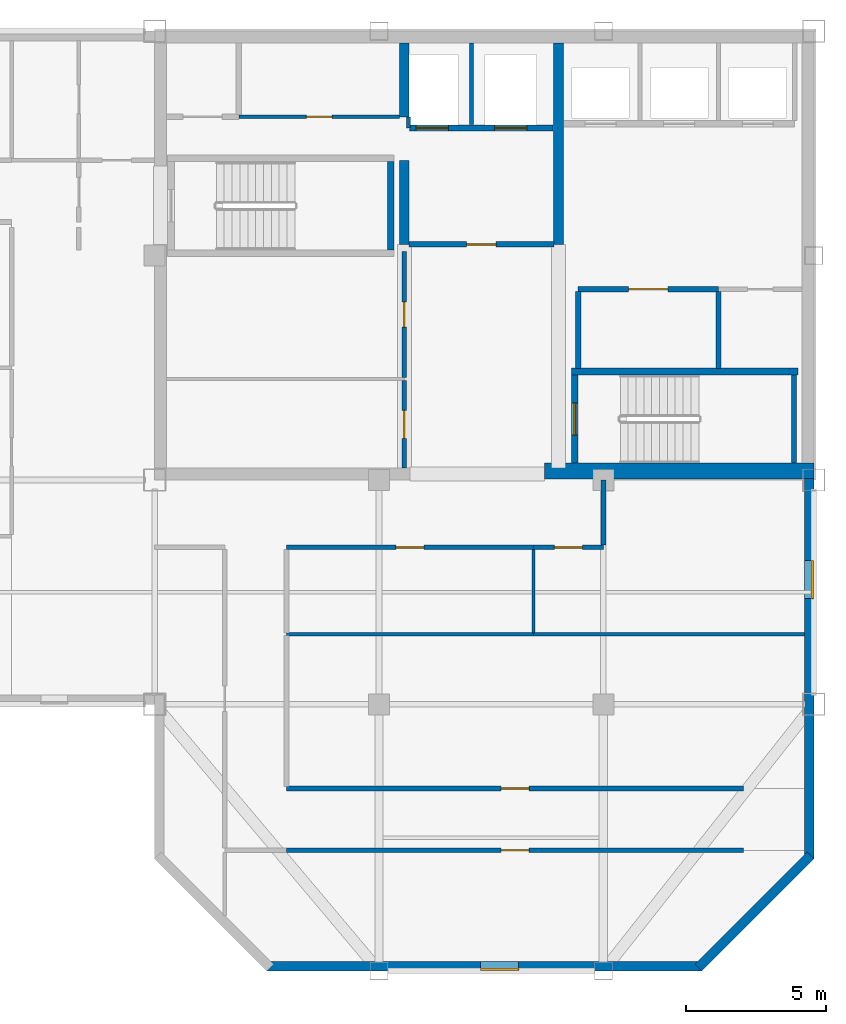
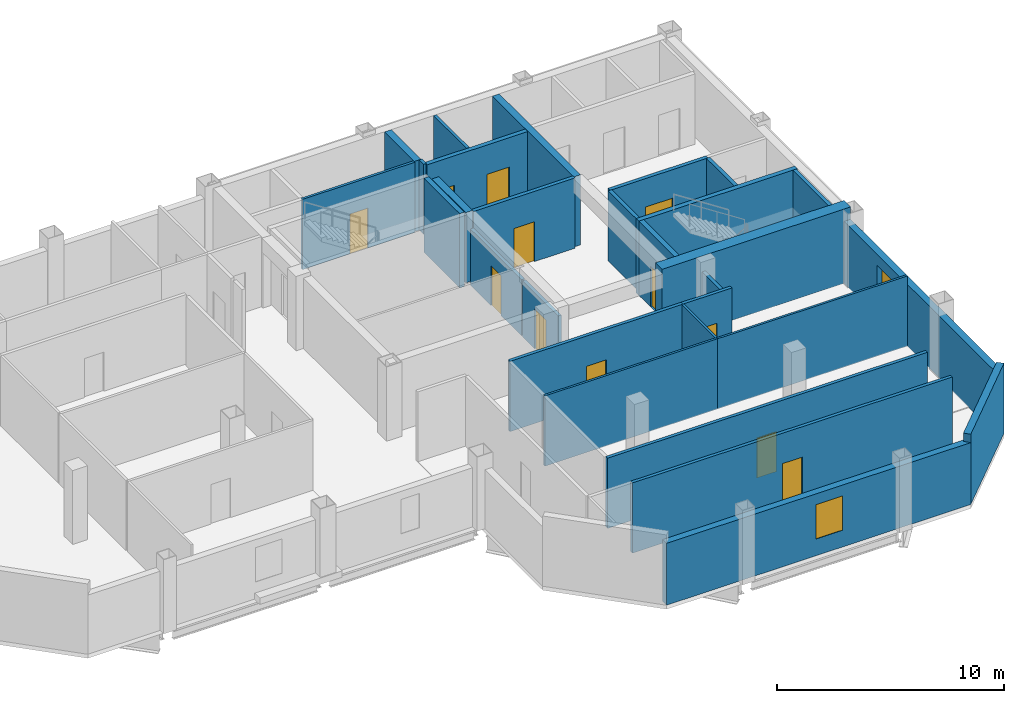
# One storey, part 3 of 7: 29 walls, 12 doors, 2 windows, 14 openings.
"""IFC4 building model written with IfcOpenShell, lengths in metres."""

from ifc_helpers import new_model, si_unit, direction, frame, frame_2d, origin, place, context, subcontext, project, spatial, rectangle, extrude, material, layer, layer_set, type_object, element, fill, save


model = new_model("IFC4")

# Units and contexts
model_context = context("Model", 3, precision=1e-05, world=origin(), true_north=direction((0.0, 1.0)))
body_context = subcontext(model_context, "Body", "Model", "MODEL_VIEW")
ifc_project = project(units=[si_unit("LENGTHUNIT", "METRE"), si_unit("AREAUNIT", "SQUARE_METRE"), si_unit("VOLUMEUNIT", "CUBIC_METRE"), si_unit("PLANEANGLEUNIT", "RADIAN"), si_unit("MASSUNIT", "GRAM", prefix="KILO")], contexts=[model_context])

# Site, building, storey
site_placement = place(None, origin())
site = spatial("IfcSite", under=ifc_project, at=site_placement, CompositionType="ELEMENT")
building_placement = place(site_placement, origin())
building = spatial("IfcBuilding", under=site, at=building_placement, Name="Qianrong Seaharbour Tower", CompositionType="ELEMENT")
storey_placement = place(building_placement, frame((0.0, 0.0, 343.199951171875)))
storey = spatial("IfcBuildingStorey", under=building, at=storey_placement, Name="L83", CompositionType="ELEMENT", Elevation=343.199951171875)

# Walls
ifc_material_1 = material(Name="Concrete C70/85", Category="concrete")
ifc_layer_1 = layer(ifc_material_1, 0.580078125)
ifc_layer_set_1 = layer_set([ifc_layer_1], Name="Concrete C70/85")
wall_type_1 = type_object("IfcWallType", Name="WALL-CORE-580", PredefinedType="SHEAR", material=ifc_layer_set_1)
wall_1_placement = place(storey_placement, frame((54.39990234375, 36.320068359375, 0.0), z_axis=(0.0, 0.0, 1.0), x_axis=(1.0, 0.0, 0.0)))
element("IfcWall", 1, at=wall_1_placement, inside=storey, type_object=wall_type_1, Name="L83 South Core Shear Wall S3", PredefinedType="SHEAR", context=body_context, shape_type="SweptSolid", body=[
    extrude(rectangle(XDim=9.60009765625, YDim=0.580078125, at=frame_2d((4.800048828125, 0.0))), origin(), (0.0, 0.0, 1.0), 4.0),
])
ifc_material_2 = material(Name="Concrete C50/60", Category="concrete")
ifc_layer_2 = layer(ifc_material_2, 0.35009765625)
ifc_layer_set_2 = layer_set([ifc_layer_2], Name="Concrete C50/60")
wall_type_2 = type_object("IfcWallType", Name="WALL-CORE-INT-350", PredefinedType="SHEAR", material=ifc_layer_set_2)
wall_2_placement = place(storey_placement, frame((49.39990234375, 44.39990234375, 0.0), z_axis=(0.0, 0.0, 1.0), x_axis=(0.0, 1.0, 0.0)))
element("IfcWall", 2, at=wall_2_placement, inside=storey, type_object=wall_type_2, Name="L83 Internal Core Shear Wall IW1N1", PredefinedType="SHEAR", context=body_context, shape_type="SweptSolid", body=[
    extrude(rectangle(XDim=3.0, YDim=0.35009765625, at=frame_2d((1.5, 0.0))), origin(), (0.0, 0.0, 1.0), 3.78515625),
])
wall_3_placement = place(storey_placement, frame((49.39990234375, 48.949951171875, 0.0), z_axis=(0.0, 0.0, 1.0), x_axis=(0.0, 1.0, 0.0)))
element("IfcWall", 3, at=wall_3_placement, inside=storey, type_object=wall_type_2, Name="L83 Internal Core Shear Wall IW1N2", PredefinedType="SHEAR", context=body_context, shape_type="SweptSolid", body=[
    extrude(rectangle(XDim=2.630126953125, YDim=0.35009765625, at=frame_2d((1.31494140625, 0.0))), origin(), (0.0, 0.0, 1.0), 3.78515625),
])
wall_4_placement = place(storey_placement, frame((54.89990234375, 44.39990234375, 0.0), z_axis=(0.0, 0.0, 1.0), x_axis=(0.0, 1.0, 0.0)))
element("IfcWall", 4, at=wall_4_placement, inside=storey, type_object=wall_type_2, Name="L83 Internal Core Shear Wall IW2N", PredefinedType="SHEAR", context=body_context, shape_type="SweptSolid", body=[
    extrude(rectangle(XDim=7.18017578125, YDim=0.35009765625, at=frame_2d((3.590087890625, 0.0))), origin(), (0.0, 0.0, 1.0), 3.78515625),
])

# Wall, opening, door
ifc_material_3 = material(Name="Fire-rated acoustic gypsum board partition")
ifc_layer_3 = layer(ifc_material_3, 0.1650390625)
ifc_layer_set_3 = layer_set([ifc_layer_3], Name="Fire-rated acoustic gypsum board partition")
wall_type_3 = type_object("IfcWallType", Name="WALL-CORR-PART-165", PredefinedType="PARTITIONING", material=ifc_layer_set_3)
wall_5_placement = place(storey_placement, frame((49.39990234375, 36.419921875, 0.0), z_axis=(0.0, 0.0, 1.0), x_axis=(0.0, 1.0, 0.0)))
wall_5 = element("IfcWall", 5, at=wall_5_placement, inside=storey, type_object=wall_type_3, Name="L83 Interior Partition Wall 010", PredefinedType="PARTITIONING", context=body_context, shape_type="SweptSolid", body=[
    extrude(rectangle(XDim=3.133056640625, YDim=0.1650390625, at=frame_2d((1.56640625, 0.0))), origin(), (0.0, 0.0, 1.0), 3.027099609375),
])
opening_1_placement = place(wall_5_placement, frame((1.06640625, 0.0, 0.0)))
opening_1 = element("IfcOpeningElement", 6, at=opening_1_placement, cuts=wall_5, Name="Opening DO-01", PredefinedType="OPENING", context=body_context, shape_type="SweptSolid", body=[
    extrude(rectangle(XDim=1.0, YDim=2.14990234375, at=frame_2d((0.5, 1.074951171875))), frame((0.0, 0.092529296875, 0.0), z_axis=(0.0, -1.0, 0.0), x_axis=(1.0, 0.0, 0.0)), (0.0, 0.0, 1.0), 0.18505859375),
])
ifc_material_4 = material(Name="Acoustic timber and galvanized steel fire door assembly", Category="steel")
door_type_1 = type_object("IfcDoorType", Name="DOOR-OFFICE-1000x2150", OperationType="NOTDEFINED", PredefinedType="DOOR", material=ifc_material_4)
door_1_placement = place(opening_1_placement, origin())
door_1 = element("IfcDoor", 7, at=door_1_placement, inside=storey, type_object=door_type_1, Name="L83 Wellness Room Door", OperationType="SINGLE_SWING_LEFT", OverallHeight=2.14990234375, OverallWidth=1.0, PredefinedType="DOOR", context=body_context, shape_type="SweptSolid", body=[
    extrude(rectangle(XDim=1.0, YDim=2.14990234375, at=frame_2d((0.5, 1.074951171875))), frame((0.0, 0.02490234375, 0.0), z_axis=(0.0, -1.0, 0.0), x_axis=(1.0, 0.0, 0.0)), (0.0, 0.0, 1.0), 0.050048828125),
])
fill(opening_1, door_1)

wall_6_placement = place(storey_placement, frame((49.39990234375, 39.64697265625, 0.0), z_axis=(0.0, 0.0, 1.0), x_axis=(0.0, 1.0, 0.0)))
wall_6 = element("IfcWall", 8, at=wall_6_placement, inside=storey, type_object=wall_type_3, Name="L83 Interior Partition Wall 011", PredefinedType="PARTITIONING", context=body_context, shape_type="SweptSolid", body=[
    extrude(rectangle(XDim=4.5029296875, YDim=0.1650390625, at=frame_2d((2.25146484375, 0.0))), origin(), (0.0, 0.0, 1.0), 3.027099609375),
])
opening_2_placement = place(wall_6_placement, frame((1.801513671875, 0.0, 0.0)))
opening_2 = element("IfcOpeningElement", 9, at=opening_2_placement, cuts=wall_6, Name="Opening DS-01", PredefinedType="OPENING", context=body_context, shape_type="SweptSolid", body=[
    extrude(rectangle(XDim=0.89990234375, YDim=2.14990234375, at=frame_2d((0.449951171875, 1.074951171875))), frame((0.0, 0.092529296875, 0.0), z_axis=(0.0, -1.0, 0.0), x_axis=(1.0, 0.0, 0.0)), (0.0, 0.0, 1.0), 0.18505859375),
])
door_type_2 = type_object("IfcDoorType", Name="DOOR-STORE-900x2150", OperationType="NOTDEFINED", PredefinedType="DOOR", material=ifc_material_4)
door_2_placement = place(opening_2_placement, origin())
door_2 = element("IfcDoor", 10, at=door_2_placement, inside=storey, type_object=door_type_2, Name="L83 Equipment Store Room Door", OperationType="SINGLE_SWING_RIGHT", OverallHeight=2.14990234375, OverallWidth=0.89990234375, PredefinedType="DOOR", context=body_context, shape_type="SweptSolid", body=[
    extrude(rectangle(XDim=0.89990234375, YDim=2.14990234375, at=frame_2d((0.449951171875, 1.074951171875))), frame((0.0, 0.02490234375, 0.0), z_axis=(0.0, -1.0, 0.0), x_axis=(1.0, 0.0, 0.0)), (0.0, 0.0, 1.0), 0.050048828125),
])
fill(opening_2, door_2)

wall_7_placement = place(storey_placement, frame((54.0, 33.60009765625, 0.0), z_axis=(0.0, 0.0, 1.0), x_axis=(-1.0, 0.0, 0.0)))
wall_7 = element("IfcWall", 11, at=wall_7_placement, inside=storey, type_object=wall_type_3, Name="L83 Interior Partition Wall 025", PredefinedType="PARTITIONING", context=body_context, shape_type="SweptSolid", body=[
    extrude(rectangle(XDim=8.800048828125, YDim=0.1650390625, at=frame_2d((4.39990234375, 0.0))), origin(), (0.0, 0.0, 1.0), 3.78515625),
])
opening_3_placement = place(wall_7_placement, frame((3.89990234375, 0.0, 0.0)))
opening_3 = element("IfcOpeningElement", 12, at=opening_3_placement, cuts=wall_7, Name="Opening DO-01", PredefinedType="OPENING", context=body_context, shape_type="SweptSolid", body=[
    extrude(rectangle(XDim=1.0, YDim=2.14990234375, at=frame_2d((0.5, 1.074951171875))), frame((0.0, 0.092529296875, 0.0), z_axis=(0.0, -1.0, 0.0), x_axis=(1.0, 0.0, 0.0)), (0.0, 0.0, 1.0), 0.18505859375),
])
door_3_placement = place(opening_3_placement, origin())
door_3 = element("IfcDoor", 13, at=door_3_placement, inside=storey, type_object=door_type_1, Name="L83 Wellness Room 1 Door", OperationType="SINGLE_SWING_LEFT", OverallHeight=2.14990234375, OverallWidth=1.0, PredefinedType="DOOR", context=body_context, shape_type="SweptSolid", body=[
    extrude(rectangle(XDim=1.0, YDim=2.14990234375, at=frame_2d((0.5, 1.074951171875))), frame((0.0, 0.02490234375, 0.0), z_axis=(0.0, -1.0, 0.0), x_axis=(1.0, 0.0, 0.0)), (0.0, 0.0, 1.0), 0.050048828125),
])
fill(opening_3, door_3)

# Wall
wall_8_placement = place(storey_placement, frame((56.5, 36.0, 0.0), z_axis=(0.0, 0.0, 1.0), x_axis=(0.0, -1.0, 0.0)))
element("IfcWall", 14, at=wall_8_placement, inside=storey, type_object=wall_type_3, Name="L83 Interior Partition Wall 026", PredefinedType="PARTITIONING", context=body_context, shape_type="SweptSolid", body=[
    extrude(rectangle(XDim=2.325439453125, YDim=0.1650390625, at=frame_2d((1.16259765625, 0.0))), origin(), (0.0, 0.0, 1.0), 3.177001953125),
])

# Wall, opening, door
wall_9_placement = place(storey_placement, frame((56.5, 33.60009765625, 0.0), z_axis=(0.0, 0.0, 1.0), x_axis=(-1.0, 0.0, 0.0)))
wall_9 = element("IfcWall", 15, at=wall_9_placement, inside=storey, type_object=wall_type_3, Name="L83 Interior Partition Wall 027", PredefinedType="PARTITIONING", context=body_context, shape_type="SweptSolid", body=[
    extrude(rectangle(XDim=2.5, YDim=0.1650390625, at=frame_2d((1.25, 0.0))), origin(), (0.0, 0.0, 1.0), 3.78515625),
])
opening_4_placement = place(wall_9_placement, frame((0.75, 0.0, 0.0)))
opening_4 = element("IfcOpeningElement", 16, at=opening_4_placement, cuts=wall_9, Name="Opening DO-01", PredefinedType="OPENING", context=body_context, shape_type="SweptSolid", body=[
    extrude(rectangle(XDim=1.0, YDim=2.14990234375, at=frame_2d((0.5, 1.074951171875))), frame((0.0, 0.092529296875, 0.0), z_axis=(0.0, -1.0, 0.0), x_axis=(1.0, 0.0, 0.0)), (0.0, 0.0, 1.0), 0.18505859375),
])
door_4_placement = place(opening_4_placement, origin())
door_4 = element("IfcDoor", 17, at=door_4_placement, inside=storey, type_object=door_type_1, Name="L83 Health Director Office 2 Door", OperationType="SINGLE_SWING_RIGHT", OverallHeight=2.14990234375, OverallWidth=1.0, PredefinedType="DOOR", context=body_context, shape_type="SweptSolid", body=[
    extrude(rectangle(XDim=1.0, YDim=2.14990234375, at=frame_2d((0.5, 1.074951171875))), frame((0.0, 0.02490234375, 0.0), z_axis=(0.0, -1.0, 0.0), x_axis=(1.0, 0.0, 0.0)), (0.0, 0.0, 1.0), 0.050048828125),
])
fill(opening_4, door_4)

wall_10_placement = place(storey_placement, frame((61.5, 22.800048828125, 0.0), z_axis=(0.0, 0.0, 1.0), x_axis=(-1.0, 0.0, 0.0)))
wall_10 = element("IfcWall", 18, at=wall_10_placement, inside=storey, type_object=wall_type_3, Name="L83 Interior Partition Wall 033", PredefinedType="PARTITIONING", context=body_context, shape_type="SweptSolid", body=[
    extrude(rectangle(XDim=16.300048828125, YDim=0.1650390625, at=frame_2d((8.14990234375, 0.0))), origin(), (0.0, 0.0, 1.0), 3.78515625),
])
opening_5_placement = place(wall_10_placement, frame((7.64990234375, 0.0, 0.0)))
opening_5 = element("IfcOpeningElement", 19, at=opening_5_placement, cuts=wall_10, Name="Opening DO-01", PredefinedType="OPENING", context=body_context, shape_type="SweptSolid", body=[
    extrude(rectangle(XDim=1.0, YDim=2.14990234375, at=frame_2d((0.5, 1.074951171875))), frame((0.0, 0.092529296875, 0.0), z_axis=(0.0, -1.0, 0.0), x_axis=(1.0, 0.0, 0.0)), (0.0, 0.0, 1.0), 0.18505859375),
])
door_5_placement = place(opening_5_placement, origin())
door_5 = element("IfcDoor", 20, at=door_5_placement, inside=storey, type_object=door_type_1, Name="L83 South Tip Open-Plan Office Door", OperationType="SINGLE_SWING_LEFT", OverallHeight=2.14990234375, OverallWidth=1.0, PredefinedType="DOOR", context=body_context, shape_type="SweptSolid", body=[
    extrude(rectangle(XDim=1.0, YDim=2.14990234375, at=frame_2d((0.5, 1.074951171875))), frame((0.0, 0.02490234375, 0.0), z_axis=(0.0, -1.0, 0.0), x_axis=(1.0, 0.0, 0.0)), (0.0, 0.0, 1.0), 0.050048828125),
])
fill(opening_5, door_5)

wall_11_placement = place(storey_placement, frame((45.199951171875, 25.0, 0.0), z_axis=(0.0, 0.0, 1.0), x_axis=(1.0, 0.0, 0.0)))
wall_11 = element("IfcWall", 21, at=wall_11_placement, inside=storey, type_object=wall_type_3, Name="L83 Interior Partition Wall 034", PredefinedType="PARTITIONING", context=body_context, shape_type="SweptSolid", body=[
    extrude(rectangle(XDim=16.300048828125, YDim=0.1650390625, at=frame_2d((8.14990234375, 0.0))), origin(), (0.0, 0.0, 1.0), 3.78515625),
])
opening_6_placement = place(wall_11_placement, frame((7.64990234375, 0.0, 0.0)))
opening_6 = element("IfcOpeningElement", 22, at=opening_6_placement, cuts=wall_11, Name="Opening DO-01", PredefinedType="OPENING", context=body_context, shape_type="SweptSolid", body=[
    extrude(rectangle(XDim=1.0, YDim=2.14990234375, at=frame_2d((0.5, 1.074951171875))), frame((0.0, 0.092529296875, 0.0), z_axis=(0.0, -1.0, 0.0), x_axis=(1.0, 0.0, 0.0)), (0.0, 0.0, 1.0), 0.18505859375),
])
door_6_placement = place(opening_6_placement, origin())
door_6 = element("IfcDoor", 23, at=door_6_placement, inside=storey, type_object=door_type_1, Name="L83 Operations Open-Plan Office Door", OperationType="SINGLE_SWING_RIGHT", OverallHeight=2.14990234375, OverallWidth=1.0, PredefinedType="DOOR", context=body_context, shape_type="SweptSolid", body=[
    extrude(rectangle(XDim=1.0, YDim=2.14990234375, at=frame_2d((0.5, 1.074951171875))), frame((0.0, 0.02490234375, 0.0), z_axis=(0.0, -1.0, 0.0), x_axis=(1.0, 0.0, 0.0)), (0.0, 0.0, 1.0), 0.050048828125),
])
fill(opening_6, door_6)

# Walls
ifc_material_5 = material(Name="Demountable aluminium-framed acoustic office partition", Category="aluminium")
ifc_layer_4 = layer(ifc_material_5, 0.110107421875)
ifc_layer_set_4 = layer_set([ifc_layer_4], Name="Demountable aluminium-framed acoustic office partition")
wall_type_4 = type_object("IfcWallType", Name="WALL-DEMOUNT-110", PredefinedType="MOVABLE", material=ifc_layer_set_4)
wall_12_placement = place(storey_placement, frame((45.199951171875, 30.5, 0.0), z_axis=(0.0, 0.0, 1.0), x_axis=(1.0, 0.0, 0.0)))
element("IfcWall", 24, at=wall_12_placement, inside=storey, type_object=wall_type_4, Name="L83 Interior Partition Wall 036", PredefinedType="MOVABLE", context=body_context, shape_type="SweptSolid", body=[
    extrude(rectangle(XDim=8.800048828125, YDim=0.110107421875, at=frame_2d((4.39990234375, 0.0))), origin(), (0.0, 0.0, 1.0), 3.78515625),
])
wall_13_placement = place(storey_placement, frame((54.0, 30.5, 0.0), z_axis=(0.0, 0.0, 1.0), x_axis=(1.0, 0.0, 0.0)))
element("IfcWall", 25, at=wall_13_placement, inside=storey, type_object=wall_type_4, Name="L83 Interior Partition Wall 037", PredefinedType="MOVABLE", context=body_context, shape_type="SweptSolid", body=[
    extrude(rectangle(XDim=9.66796875, YDim=0.110107421875, at=frame_2d((4.833984375, 0.0))), origin(), (0.0, 0.0, 1.0), 3.78515625),
])
wall_14_placement = place(storey_placement, frame((54.0, 33.525390625, 0.0), z_axis=(0.0, 0.0, 1.0), x_axis=(0.0, -1.0, 0.0)))
element("IfcWall", 26, at=wall_14_placement, inside=storey, type_object=wall_type_4, Name="L83 Interior Partition Wall 038", PredefinedType="MOVABLE", context=body_context, shape_type="SweptSolid", body=[
    extrude(rectangle(XDim=2.978271484375, YDim=0.110107421875, at=frame_2d((1.4892578125, 0.0))), origin(), (0.0, 0.0, 1.0), 3.78515625),
])

# Wall, opening, window
ifc_material_6 = material(Name="Unitised buff brick on Precast concrete C45/55", Category="masonry")
ifc_layer_5 = layer(ifc_material_6, 0.340087890625)
ifc_layer_set_5 = layer_set([ifc_layer_5], Name="Unitised buff brick on Precast concrete C45/55")
wall_type_5 = type_object("IfcWallType", Name="WALL-EXT-BRICK-BUFF-340", PredefinedType="SOLIDWALL", material=ifc_layer_set_5)
wall_15_placement = place(storey_placement, frame((63.830078125, 36.050048828125, 0.0), z_axis=(0.0, 0.0, 1.0), x_axis=(0.0, -1.0, 0.0)))
wall_15 = element("IfcWall", 27, at=wall_15_placement, inside=storey, type_object=wall_type_5, Name="L83 Exterior Masonry Facade Wall EAST_WING", PredefinedType="SOLIDWALL", context=body_context, shape_type="SweptSolid", body=[
    extrude(rectangle(XDim=13.550048828125, YDim=0.340087890625, at=frame_2d((6.77490234375, 0.0))), origin(), (0.0, 0.0, 1.0), 3.3349609375),
])
opening_7_placement = place(wall_15_placement, frame((2.925048828125, 0.0, 0.89990234375)))
opening_7 = element("IfcOpeningElement", 28, at=opening_7_placement, cuts=wall_15, Name="Opening WN-02", PredefinedType="OPENING", context=body_context, shape_type="SweptSolid", body=[
    extrude(rectangle(XDim=1.35009765625, YDim=1.85009765625, at=frame_2d((0.675048828125, 0.925048828125))), frame((0.0, 0.18017578125, 0.0), z_axis=(0.0, -1.0, 0.0), x_axis=(1.0, 0.0, 0.0)), (0.0, 0.0, 1.0), 0.360107421875),
])
ifc_material_7 = material(Name="Insulated low-e double glazing in thermally broken aluminium 6063-T6 frame", Category="aluminium")
window_type = type_object("IfcWindowType", Name="WIN-PUNCH-1350x1850", PartitioningType="DOUBLE_PANEL_VERTICAL", PredefinedType="WINDOW", material=ifc_material_7)
window_1_placement = place(opening_7_placement, origin())
window_1 = element("IfcWindow", 29, at=window_1_placement, inside=storey, type_object=window_type, Name="L83 Deep-Set Punched Window 06.01", OverallHeight=1.85009765625, OverallWidth=1.35009765625, PartitioningType="DOUBLE_PANEL_VERTICAL", PredefinedType="WINDOW", context=body_context, shape_type="SweptSolid", body=[
    extrude(rectangle(XDim=1.35009765625, YDim=1.85009765625, at=frame_2d((0.675048828125, 0.925048828125))), frame((0.0, 0.150146484375, 0.0), z_axis=(0.0, -1.0, 0.0), x_axis=(1.0, 0.0, 0.0)), (0.0, 0.0, 1.0), 0.06005859375),
])
fill(opening_7, window_1)

# Wall
wall_16_placement = place(storey_placement, frame((63.8798828125, 22.6201171875, 0.0), z_axis=(0.0, 0.0, 1.0), x_axis=(-0.707106781187, -0.707106781187, 0.0)))
element("IfcWall", 30, at=wall_16_placement, inside=storey, type_object=wall_type_5, Name="L83 Exterior Masonry Facade Wall E07", PredefinedType="SOLIDWALL", context=body_context, shape_type="SweptSolid", body=[
    extrude(rectangle(XDim=5.65673828125, YDim=0.340087890625, at=frame_2d((2.828369140625, 0.0))), origin(), (0.0, 0.0, 1.0), 3.78515625),
])

# Wall, opening, window
wall_17_placement = place(storey_placement, frame((60.0, 18.669921875, 0.0), z_axis=(0.0, 0.0, 1.0), x_axis=(-1.0, 0.0, 0.0)))
wall_17 = element("IfcWall", 31, at=wall_17_placement, inside=storey, type_object=wall_type_5, Name="L83 Exterior Masonry Facade Wall SOUTH_TIP", PredefinedType="SOLIDWALL", context=body_context, shape_type="SweptSolid", body=[
    extrude(rectangle(XDim=15.5, YDim=0.340087890625, at=frame_2d((7.75, 0.0))), origin(), (0.0, 0.0, 1.0), 3.3349609375),
])
opening_8_placement = place(wall_17_placement, frame((6.52490234375, 0.0, 0.89990234375)))
opening_8 = element("IfcOpeningElement", 32, at=opening_8_placement, cuts=wall_17, Name="Opening WN-02", PredefinedType="OPENING", context=body_context, shape_type="SweptSolid", body=[
    extrude(rectangle(XDim=1.35009765625, YDim=1.85009765625, at=frame_2d((0.675048828125, 0.925048828125))), frame((0.0, 0.18017578125, 0.0), z_axis=(0.0, -1.0, 0.0), x_axis=(1.0, 0.0, 0.0)), (0.0, 0.0, 1.0), 0.360107421875),
])
window_2_placement = place(opening_8_placement, origin())
window_2 = element("IfcWindow", 33, at=window_2_placement, inside=storey, type_object=window_type, Name="L83 Deep-Set Punched Window 08.02", OverallHeight=1.85009765625, OverallWidth=1.35009765625, PartitioningType="DOUBLE_PANEL_VERTICAL", PredefinedType="WINDOW", context=body_context, shape_type="SweptSolid", body=[
    extrude(rectangle(XDim=1.35009765625, YDim=1.85009765625, at=frame_2d((0.675048828125, 0.925048828125))), frame((0.0, 0.150146484375, 0.0), z_axis=(0.0, -1.0, 0.0), x_axis=(1.0, 0.0, 0.0)), (0.0, 0.0, 1.0), 0.06005859375),
])
fill(opening_8, window_2)

# Wall, opening, door
ifc_material_8 = material(Name="Double fire-rated gypsum board acoustic partition")
ifc_layer_6 = layer(ifc_material_8, 0.18994140625)
ifc_layer_set_6 = layer_set([ifc_layer_6], Name="Double fire-rated gypsum board acoustic partition")
wall_type_6 = type_object("IfcWallType", Name="WALL-FIRE-PART-190", PredefinedType="PARTITIONING", material=ifc_layer_set_6)
wall_18_placement = place(storey_placement, frame((54.73291015625, 44.39990234375, 0.0), z_axis=(0.0, 0.0, 1.0), x_axis=(-1.0, 0.0, 0.0)))
wall_18 = element("IfcWall", 34, at=wall_18_placement, inside=storey, type_object=wall_type_6, Name="L83 Interior Partition Wall 009", PredefinedType="PARTITIONING", context=body_context, shape_type="SweptSolid", body=[
    extrude(rectangle(XDim=5.166015625, YDim=0.18994140625, at=frame_2d((2.5830078125, 0.0))), origin(), (0.0, 0.0, 1.0), 3.78515625),
])
opening_9_placement = place(wall_18_placement, frame((2.05810546875, 0.0, 0.0)))
opening_9 = element("IfcOpeningElement", 35, at=opening_9_placement, cuts=wall_18, Name="Opening DC-01", PredefinedType="OPENING", context=body_context, shape_type="SweptSolid", body=[
    extrude(rectangle(XDim=1.050048828125, YDim=2.14990234375, at=frame_2d((0.52490234375, 1.074951171875))), frame((0.0, 0.10498046875, 0.0), z_axis=(0.0, -1.0, 0.0), x_axis=(1.0, 0.0, 0.0)), (0.0, 0.0, 1.0), 0.2099609375),
])
door_type_3 = type_object("IfcDoorType", Name="DOOR-CORR-FD60-1050x2150", OperationType="NOTDEFINED", PredefinedType="DOOR", material=ifc_material_4)
door_7_placement = place(opening_9_placement, origin())
door_7 = element("IfcDoor", 36, at=door_7_placement, inside=storey, type_object=door_type_3, Name="L83 Firefighting Lift Lobby Door", OperationType="SINGLE_SWING_RIGHT", OverallHeight=2.14990234375, OverallWidth=1.050048828125, PredefinedType="DOOR", context=body_context, shape_type="SweptSolid", body=[
    extrude(rectangle(XDim=1.050048828125, YDim=2.14990234375, at=frame_2d((0.52490234375, 1.074951171875))), frame((0.0, 0.02490234375, 0.0), z_axis=(0.0, -1.0, 0.0), x_axis=(1.0, 0.0, 0.0)), (0.0, 0.0, 1.0), 0.050048828125),
])
fill(opening_9, door_7)

# Wall
wall_19_placement = place(storey_placement, frame((55.60009765625, 42.712890625, 0.0), z_axis=(0.0, 0.0, 1.0), x_axis=(0.0, -1.0, 0.0)))
element("IfcWall", 37, at=wall_19_placement, inside=storey, type_object=wall_type_6, Name="L83 Interior Partition Wall 012", PredefinedType="PARTITIONING", context=body_context, shape_type="SweptSolid", body=[
    extrude(rectangle(XDim=2.73095703125, YDim=0.18994140625, at=frame_2d((1.365478515625, 0.0))), origin(), (0.0, 0.0, 1.0), 3.78515625),
])

# Wall, opening, door
wall_20_placement = place(storey_placement, frame((60.60009765625, 42.800048828125, 0.0), z_axis=(0.0, 0.0, 1.0), x_axis=(-1.0, 0.0, 0.0)))
wall_20 = element("IfcWall", 38, at=wall_20_placement, inside=storey, type_object=wall_type_6, Name="L83 Interior Partition Wall 014", PredefinedType="PARTITIONING", context=body_context, shape_type="SweptSolid", body=[
    extrude(rectangle(XDim=5.0, YDim=0.18994140625, at=frame_2d((2.5, 0.0))), origin(), (0.0, 0.0, 1.0), 3.78515625),
])
opening_10_placement = place(wall_20_placement, frame((1.800048828125, 0.0, 0.0)))
opening_10 = element("IfcOpeningElement", 39, at=opening_10_placement, cuts=wall_20, Name="Opening DP-01", PredefinedType="OPENING", context=body_context, shape_type="SweptSolid", body=[
    extrude(rectangle(XDim=1.39990234375, YDim=2.25, at=frame_2d((0.699951171875, 1.125))), frame((0.0, 0.10498046875, 0.0), z_axis=(0.0, -1.0, 0.0), x_axis=(1.0, 0.0, 0.0)), (0.0, 0.0, 1.0), 0.2099609375),
])
door_type_4 = type_object("IfcDoorType", Name="DOOR-PLANT-PAIR-1400x2250", OperationType="DOUBLE_DOOR_SINGLE_SWING", PredefinedType="DOOR", material=ifc_material_4)
door_8_placement = place(opening_10_placement, origin())
door_8 = element("IfcDoor", 40, at=door_8_placement, inside=storey, type_object=door_type_4, Name="L83 Submetering Switch Room Door", OperationType="DOUBLE_DOOR_SINGLE_SWING", OverallHeight=2.25, OverallWidth=1.39990234375, PredefinedType="DOOR", context=body_context, shape_type="SweptSolid", body=[
    extrude(rectangle(XDim=1.39990234375, YDim=2.25, at=frame_2d((0.699951171875, 1.125))), frame((0.0, 0.02490234375, 0.0), z_axis=(0.0, -1.0, 0.0), x_axis=(1.0, 0.0, 0.0)), (0.0, 0.0, 1.0), 0.050048828125),
])
fill(opening_10, door_8)

# Walls
wall_21_placement = place(storey_placement, frame((60.60009765625, 42.712890625, 0.0), z_axis=(0.0, 0.0, 1.0), x_axis=(0.0, -1.0, 0.0)))
element("IfcWall", 41, at=wall_21_placement, inside=storey, type_object=wall_type_6, Name="L83 Interior Partition Wall 017", PredefinedType="PARTITIONING", context=body_context, shape_type="SweptSolid", body=[
    extrude(rectangle(XDim=2.73095703125, YDim=0.18994140625, at=frame_2d((1.365478515625, 0.0))), origin(), (0.0, 0.0, 1.0), 3.78515625),
])
ifc_material_9 = material(Name="Fire-rated gypsum board on steel studs", Category="steel")
ifc_layer_7 = layer(ifc_material_9, 0.14990234375)
ifc_layer_set_7 = layer_set([ifc_layer_7], Name="Fire-rated gypsum board on steel studs")
wall_type_7 = type_object("IfcWallType", Name="WALL-SHAFT-DIV-150", PredefinedType="PARTITIONING", material=ifc_layer_set_7)
wall_22_placement = place(storey_placement, frame((51.800048828125, 48.669921875, 0.0), z_axis=(0.0, 0.0, 1.0), x_axis=(0.0, 1.0, 0.0)))
element("IfcWall", 42, at=wall_22_placement, inside=storey, type_object=wall_type_7, Name="L83 Firefighting Lift Shaft Divider Wall", PredefinedType="PARTITIONING", context=body_context, shape_type="SweptSolid", body=[
    extrude(rectangle(XDim=2.91015625, YDim=0.14990234375, at=frame_2d((1.455078125, 0.0))), origin(), (0.0, 0.0, 1.0), 3.78515625),
])
wall_23_placement = place(storey_placement, frame((49.550048828125, 48.550048828125, 0.0), z_axis=(0.0, 0.0, 1.0), x_axis=(0.0, 1.0, 0.0)))
element("IfcWall", 43, at=wall_23_placement, inside=storey, type_object=wall_type_7, Name="L83 Firefighting Lift Shaft West Return Wall", PredefinedType="PARTITIONING", context=body_context, shape_type="SweptSolid", body=[
    extrude(rectangle(XDim=0.39990234375, YDim=0.14990234375, at=frame_2d((0.199951171875, 0.0))), origin(), (0.0, 0.0, 1.0), 3.78515625),
])

# Wall, openings, doors
ifc_layer_8 = layer(ifc_material_9, 0.219970703125)
ifc_layer_set_8 = layer_set([ifc_layer_8], Name="Fire-rated gypsum board on steel studs")
wall_type_8 = type_object("IfcWallType", Name="WALL-SHAFT-GYP220", PredefinedType="PARTITIONING", material=ifc_layer_set_8)
wall_24_placement = place(storey_placement, frame((54.7099609375, 48.550048828125, 0.0), z_axis=(0.0, 0.0, 1.0), x_axis=(-1.0, 0.0, 0.0)))
wall_24 = element("IfcWall", 44, at=wall_24_placement, inside=storey, type_object=wall_type_8, Name="L83 Firefighting Lift Shaft Front Wall", PredefinedType="PARTITIONING", context=body_context, shape_type="SweptSolid", body=[
    extrude(rectangle(XDim=5.119873046875, YDim=0.219970703125, at=frame_2d((2.56005859375, 0.0))), origin(), (0.0, 0.0, 1.0), 3.78515625),
])
opening_11_placement = place(wall_24_placement, frame((3.735107421875, 0.0, 0.0)))
opening_11 = element("IfcOpeningElement", 45, at=opening_11_placement, cuts=wall_24, Name="Opening LD-01", PredefinedType="OPENING", context=body_context, shape_type="SweptSolid", body=[
    extrude(rectangle(XDim=1.14990234375, YDim=2.199951171875, at=frame_2d((0.574951171875, 1.10009765625))), frame((0.0, 0.1201171875, 0.0), z_axis=(0.0, -1.0, 0.0), x_axis=(1.0, 0.0, 0.0)), (0.0, 0.0, 1.0), 0.239990234375),
])
opening_12_placement = place(wall_24_placement, frame((0.93505859375, 0.0, 0.0)))
opening_12 = element("IfcOpeningElement", 46, at=opening_12_placement, cuts=wall_24, Name="Opening LD-01", PredefinedType="OPENING", context=body_context, shape_type="SweptSolid", body=[
    extrude(rectangle(XDim=1.14990234375, YDim=2.199951171875, at=frame_2d((0.574951171875, 1.10009765625))), frame((0.0, 0.1201171875, 0.0), z_axis=(0.0, -1.0, 0.0), x_axis=(1.0, 0.0, 0.0)), (0.0, 0.0, 1.0), 0.239990234375),
])
ifc_material_10 = material(Name="Stainless steel SUS316L bi-parting lift landing door", Category="steel")
door_type_5 = type_object("IfcDoorType", Name="DOOR-LIFT-FF-1150x2200", OperationType="DOUBLE_DOOR_SLIDING", PredefinedType="DOOR", material=ifc_material_10)
door_9_placement = place(opening_11_placement, origin())
door_9 = element("IfcDoor", 47, at=door_9_placement, inside=storey, type_object=door_type_5, Name="L83 FL-1 Firefighting Lift Landing Door", OperationType="DOUBLE_DOOR_SLIDING", OverallHeight=2.199951171875, OverallWidth=1.14990234375, PredefinedType="DOOR", context=body_context, shape_type="SweptSolid", body=[
    extrude(rectangle(XDim=1.14990234375, YDim=2.199951171875, at=frame_2d((0.574951171875, 1.10009765625))), frame((0.0, 0.02490234375, 0.0), z_axis=(0.0, -1.0, 0.0), x_axis=(1.0, 0.0, 0.0)), (0.0, 0.0, 1.0), 0.050048828125),
])
fill(opening_11, door_9)
door_10_placement = place(opening_12_placement, origin())
door_10 = element("IfcDoor", 48, at=door_10_placement, inside=storey, type_object=door_type_5, Name="L83 FL-2 Firefighting Lift Landing Door", OperationType="DOUBLE_DOOR_SLIDING", OverallHeight=2.199951171875, OverallWidth=1.14990234375, PredefinedType="DOOR", context=body_context, shape_type="SweptSolid", body=[
    extrude(rectangle(XDim=1.14990234375, YDim=2.199951171875, at=frame_2d((0.574951171875, 1.10009765625))), frame((0.0, 0.02490234375, 0.0), z_axis=(0.0, -1.0, 0.0), x_axis=(1.0, 0.0, 0.0)), (0.0, 0.0, 1.0), 0.050048828125),
])
fill(opening_12, door_10)

# Walls
ifc_layer_9 = layer(ifc_material_2, 0.239990234375)
ifc_layer_set_9 = layer_set([ifc_layer_9], Name="Concrete C50/60")
wall_type_9 = type_object("IfcWallType", Name="WALL-SHAFT-RC240", PredefinedType="SOLIDWALL", material=ifc_layer_set_9)
wall_25_placement = place(storey_placement, frame((48.919921875, 44.199951171875, 0.0), z_axis=(0.0, 0.0, 1.0), x_axis=(0.0, 1.0, 0.0)))
element("IfcWall", 49, at=wall_25_placement, inside=storey, type_object=wall_type_9, Name="L83 ST-1 Structural Stair Core Wall E", PredefinedType="SOLIDWALL", context=body_context, shape_type="SweptSolid", body=[
    extrude(rectangle(XDim=3.150146484375, YDim=0.239990234375, at=frame_2d((1.5751953125, 0.0))), origin(), (0.0, 0.0, 1.0), 4.0),
])
wall_26_placement = place(storey_placement, frame((55.360107421875, 39.8701171875, 0.0), z_axis=(0.0, 0.0, 1.0), x_axis=(1.0, 0.0, 0.0)))
element("IfcWall", 50, at=wall_26_placement, inside=storey, type_object=wall_type_9, Name="L83 ST-2 Structural Stair Core Wall N", PredefinedType="SOLIDWALL", context=body_context, shape_type="SweptSolid", body=[
    extrude(rectangle(XDim=8.079833984375, YDim=0.239990234375, at=frame_2d((4.0400390625, 0.0))), origin(), (0.0, 0.0, 1.0), 4.0),
])

# Wall, opening, door
wall_27_placement = place(storey_placement, frame((55.47998046875, 39.75, 0.0), z_axis=(0.0, 0.0, 1.0), x_axis=(0.0, -1.0, 0.0)))
wall_27 = element("IfcWall", 51, at=wall_27_placement, inside=storey, type_object=wall_type_9, Name="L83 ST-2 Structural Stair Core Wall W", PredefinedType="SOLIDWALL", context=body_context, shape_type="SweptSolid", body=[
    extrude(rectangle(XDim=3.14990234375, YDim=0.239990234375, at=frame_2d((1.574951171875, 0.0))), origin(), (0.0, 0.0, 1.0), 4.0),
])
opening_13_placement = place(wall_27_placement, frame((1.0, 0.0, 0.0)))
opening_13 = element("IfcOpeningElement", 52, at=opening_13_placement, cuts=wall_27, Name="Opening SD-01", PredefinedType="OPENING", context=body_context, shape_type="SweptSolid", body=[
    extrude(rectangle(XDim=1.14990234375, YDim=2.199951171875, at=frame_2d((0.574951171875, 1.10009765625))), frame((0.0, 0.1298828125, 0.0), z_axis=(0.0, -1.0, 0.0), x_axis=(1.0, 0.0, 0.0)), (0.0, 0.0, 1.0), 0.260009765625),
])
door_type_6 = type_object("IfcDoorType", Name="DOOR-STAIR-FD60-1150x2200", OperationType="NOTDEFINED", PredefinedType="DOOR", material=ifc_material_4)
door_11_placement = place(opening_13_placement, origin())
door_11 = element("IfcDoor", 53, at=door_11_placement, inside=storey, type_object=door_type_6, Name="L83 ST-2 Protected Stair Door", OperationType="SINGLE_SWING_RIGHT", OverallHeight=2.199951171875, OverallWidth=1.14990234375, PredefinedType="DOOR", context=body_context, shape_type="SweptSolid", body=[
    extrude(rectangle(XDim=1.14990234375, YDim=2.199951171875, at=frame_2d((0.574951171875, 1.10009765625))), frame((0.0, 0.02490234375, 0.0), z_axis=(0.0, -1.0, 0.0), x_axis=(1.0, 0.0, 0.0)), (0.0, 0.0, 1.0), 0.050048828125),
])
fill(opening_13, door_11)

# Wall
wall_28_placement = place(storey_placement, frame((63.2900390625, 36.60009765625, 0.0), z_axis=(0.0, 0.0, 1.0), x_axis=(0.0, 1.0, 0.0)))
element("IfcWall", 54, at=wall_28_placement, inside=storey, type_object=wall_type_9, Name="L83 ST-2 Structural Stair Core Wall E", PredefinedType="SOLIDWALL", context=body_context, shape_type="SweptSolid", body=[
    extrude(rectangle(XDim=3.14990234375, YDim=0.179931640625, at=frame_2d((1.574951171875, 0.0))), origin(), (0.0, 0.0, 1.0), 4.0),
])

# Wall, opening, door
ifc_material_11 = material(Name="Water-resistant cement board sanitary partition")
ifc_layer_10 = layer(ifc_material_11, 0.1298828125)
ifc_layer_set_10 = layer_set([ifc_layer_10], Name="Water-resistant cement board sanitary partition")
wall_type_10 = type_object("IfcWallType", Name="WALL-WET-PART-130", PredefinedType="PARTITIONING", material=ifc_layer_set_10)
wall_29_placement = place(storey_placement, frame((43.5, 48.949951171875, 0.0), z_axis=(0.0, 0.0, 1.0), x_axis=(1.0, 0.0, 0.0)))
wall_29 = element("IfcWall", 55, at=wall_29_placement, inside=storey, type_object=wall_type_10, Name="L83 Interior Partition Wall 008", PredefinedType="PARTITIONING", context=body_context, shape_type="SweptSolid", body=[
    extrude(rectangle(XDim=5.73291015625, YDim=0.1298828125, at=frame_2d((2.866455078125, 0.0))), origin(), (0.0, 0.0, 1.0), 3.78515625),
])
opening_14_placement = place(wall_29_placement, frame((2.406494140625, 0.0, 0.0)))
opening_14 = element("IfcOpeningElement", 56, at=opening_14_placement, cuts=wall_29, Name="Opening DW-01", PredefinedType="OPENING", context=body_context, shape_type="SweptSolid", body=[
    extrude(rectangle(XDim=0.919921875, YDim=2.14990234375, at=frame_2d((0.4599609375, 1.074951171875))), frame((0.0, 0.074951171875, 0.0), z_axis=(0.0, -1.0, 0.0), x_axis=(1.0, 0.0, 0.0)), (0.0, 0.0, 1.0), 0.14990234375),
])
door_type_7 = type_object("IfcDoorType", Name="DOOR-WC-920x2150", OperationType="NOTDEFINED", PredefinedType="DOOR", material=ifc_material_4)
door_12_placement = place(opening_14_placement, origin())
door_12 = element("IfcDoor", 57, at=door_12_placement, inside=storey, type_object=door_type_7, Name="L83 Staff Restroom WC Door", OperationType="SINGLE_SWING_LEFT", OverallHeight=2.14990234375, OverallWidth=0.919921875, PredefinedType="DOOR", context=body_context, shape_type="SweptSolid", body=[
    extrude(rectangle(XDim=0.919921875, YDim=2.14990234375, at=frame_2d((0.4599609375, 1.074951171875))), frame((0.0, 0.02490234375, 0.0), z_axis=(0.0, -1.0, 0.0), x_axis=(1.0, 0.0, 0.0)), (0.0, 0.0, 1.0), 0.050048828125),
])
fill(opening_14, door_12)

save(model, "model.ifc")
